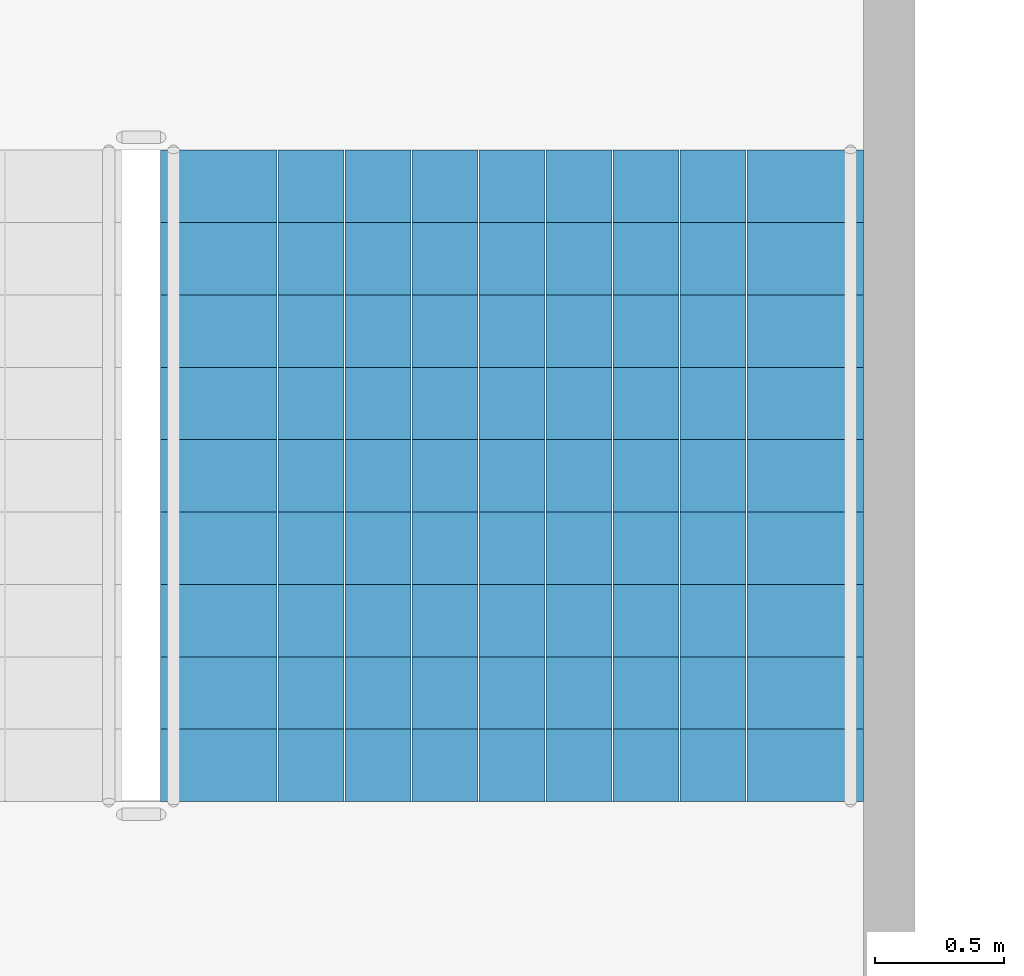
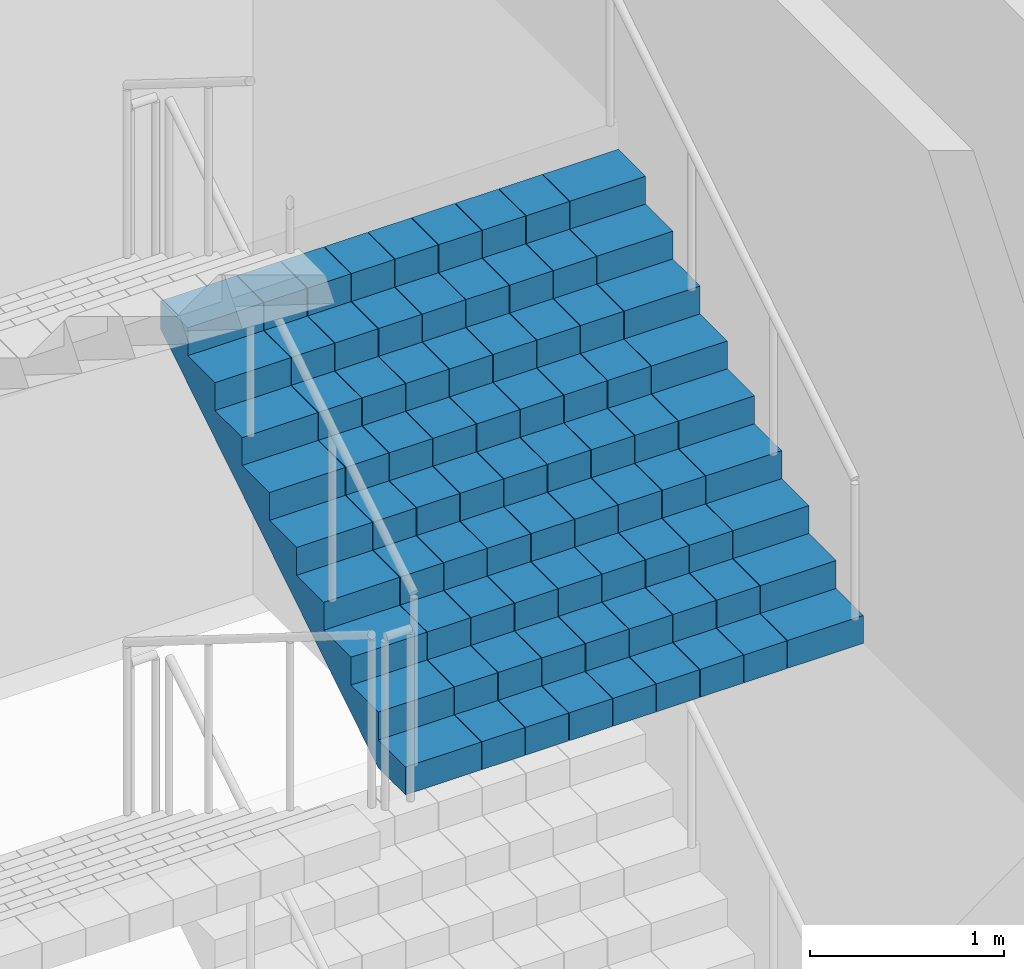
# One storey, part 40 of 45: 1 stair flight, 1 element without a shape of its own.
"""IFC4 building model written with IfcOpenShell, lengths in metres."""

from ifc_helpers import new_model, si_unit, direction, frame, origin, place, context, subcontext, project, spatial, polyline, outline, extrude, material, type_object, element, aggregate, save


model = new_model("IFC4")

# Units and contexts
model_context = context("Model", 3, precision=1e-05, world=origin(), true_north=direction((0.0, 1.0)))
body_context = subcontext(model_context, "Body", "Model", "MODEL_VIEW")
ifc_project = project(units=[si_unit("LENGTHUNIT", "METRE"), si_unit("AREAUNIT", "SQUARE_METRE"), si_unit("VOLUMEUNIT", "CUBIC_METRE"), si_unit("PLANEANGLEUNIT", "RADIAN"), si_unit("MASSUNIT", "GRAM", prefix="KILO")], contexts=[model_context])

# Site, building, storey
site_placement = place(None, origin())
site = spatial("IfcSite", under=ifc_project, at=site_placement, CompositionType="ELEMENT")
building_placement = place(site_placement, origin())
building = spatial("IfcBuilding", under=site, at=building_placement, Name="Corbelhall Arena Tower", CompositionType="ELEMENT")
storey_placement = place(building_placement, frame((0.0, 0.0, 37.0)))
storey = spatial("IfcBuildingStorey", under=building, at=storey_placement, Name="L05", CompositionType="ELEMENT", Elevation=37.0)

# Stair, stair flight
ifc_material = material(Name="Reinforced concrete C40/50", Category="concrete")
stair_type = type_object("IfcStairType", Name="AR-EXIT-STAIR", PredefinedType="HALF_TURN_STAIR", material=ifc_material)
stair_placement = place(storey_placement, origin())
stair = element("IfcStair", 1, at=stair_placement, inside=storey, type_object=stair_type, Name="L05 exit stair AS2", PredefinedType="HALF_TURN_STAIR")
stair_flight_type = type_object("IfcStairFlightType", Name="AR-EXIT-FLIGHT", PredefinedType="STRAIGHT", material=ifc_material)
stair_flight_placement = place(storey_placement, frame((45.030029296875, 27.320068359375, 3.5), z_axis=(0.0, 0.0, 1.0), x_axis=(0.0, 1.0, 0.0)))
stair_flight = element("IfcStairFlight", 2, at=stair_flight_placement, type_object=stair_flight_type, Name="AS2 flight 3", NumberOfRisers=10, NumberOfTreads=9, PredefinedType="STRAIGHT", RiserHeight=0.175, TreadLength=0.28, context=body_context, shape_type="SweptSolid", body=[
    extrude(outline(polyline([(0.0, 0.0), (0.0, 0.175048828125), (0.280029296875, 0.175048828125), (0.280029296875, 0.35009765625), (0.56005859375, 0.35009765625), (0.56005859375, 0.52490234375), (0.840087890625, 0.52490234375), (0.840087890625, 0.699951171875), (1.1201171875, 0.699951171875), (1.1201171875, 0.875), (1.39990234375, 0.875), (1.39990234375, 1.050048828125), (1.679931640625, 1.050048828125), (1.679931640625, 1.22509765625), (1.9599609375, 1.22509765625), (1.9599609375, 1.39990234375), (2.239990234375, 1.39990234375), (2.239990234375, 1.574951171875), (2.52001953125, 1.574951171875), (2.52001953125, 1.75), (2.52001953125, 1.398193359375), (0.28271484375, 0.0), (0.0, 0.0)])), frame((0.0, 1.35986328125, 0.0), z_axis=(0.0, -1.0, 0.0), x_axis=(1.0, 0.0, 0.0)), (0.0, 0.0, 1.0), 0.449951171875),
    extrude(outline(polyline([(0.0, 0.0), (0.0, 0.175048828125), (0.280029296875, 0.175048828125), (0.280029296875, 0.35009765625), (0.56005859375, 0.35009765625), (0.56005859375, 0.52490234375), (0.840087890625, 0.52490234375), (0.840087890625, 0.699951171875), (1.1201171875, 0.699951171875), (1.1201171875, 0.875), (1.39990234375, 0.875), (1.39990234375, 1.050048828125), (1.679931640625, 1.050048828125), (1.679931640625, 1.22509765625), (1.9599609375, 1.22509765625), (1.9599609375, 1.39990234375), (2.239990234375, 1.39990234375), (2.239990234375, 1.574951171875), (2.52001953125, 1.574951171875), (2.52001953125, 1.75), (2.52001953125, 1.398193359375), (0.28271484375, 0.0), (0.0, 0.0)])), frame((0.0, 0.906005859375, 0.0), z_axis=(0.0, -1.0, 0.0), x_axis=(1.0, 0.0, 0.0)), (0.0, 0.0, 1.0), 0.25537109375),
    extrude(outline(polyline([(0.0, 0.0), (0.0, 0.175048828125), (0.280029296875, 0.175048828125), (0.280029296875, 0.35009765625), (0.56005859375, 0.35009765625), (0.56005859375, 0.52490234375), (0.840087890625, 0.52490234375), (0.840087890625, 0.699951171875), (1.1201171875, 0.699951171875), (1.1201171875, 0.875), (1.39990234375, 0.875), (1.39990234375, 1.050048828125), (1.679931640625, 1.050048828125), (1.679931640625, 1.22509765625), (1.9599609375, 1.22509765625), (1.9599609375, 1.39990234375), (2.239990234375, 1.39990234375), (2.239990234375, 1.574951171875), (2.52001953125, 1.574951171875), (2.52001953125, 1.75), (2.52001953125, 1.398193359375), (0.28271484375, 0.0), (0.0, 0.0)])), frame((0.0, 0.646484375, 0.0), z_axis=(0.0, -1.0, 0.0), x_axis=(1.0, 0.0, 0.0)), (0.0, 0.0, 1.0), 0.25537109375),
    extrude(outline(polyline([(0.0, 0.0), (0.0, 0.175048828125), (0.280029296875, 0.175048828125), (0.280029296875, 0.35009765625), (0.56005859375, 0.35009765625), (0.56005859375, 0.52490234375), (0.840087890625, 0.52490234375), (0.840087890625, 0.699951171875), (1.1201171875, 0.699951171875), (1.1201171875, 0.875), (1.39990234375, 0.875), (1.39990234375, 1.050048828125), (1.679931640625, 1.050048828125), (1.679931640625, 1.22509765625), (1.9599609375, 1.22509765625), (1.9599609375, 1.39990234375), (2.239990234375, 1.39990234375), (2.239990234375, 1.574951171875), (2.52001953125, 1.574951171875), (2.52001953125, 1.75), (2.52001953125, 1.398193359375), (0.28271484375, 0.0), (0.0, 0.0)])), frame((0.0, 0.38720703125, 0.0), z_axis=(0.0, -1.0, 0.0), x_axis=(1.0, 0.0, 0.0)), (0.0, 0.0, 1.0), 0.25537109375),
    extrude(outline(polyline([(0.0, 0.0), (0.0, 0.175048828125), (0.280029296875, 0.175048828125), (0.280029296875, 0.35009765625), (0.56005859375, 0.35009765625), (0.56005859375, 0.52490234375), (0.840087890625, 0.52490234375), (0.840087890625, 0.699951171875), (1.1201171875, 0.699951171875), (1.1201171875, 0.875), (1.39990234375, 0.875), (1.39990234375, 1.050048828125), (1.679931640625, 1.050048828125), (1.679931640625, 1.22509765625), (1.9599609375, 1.22509765625), (1.9599609375, 1.39990234375), (2.239990234375, 1.39990234375), (2.239990234375, 1.574951171875), (2.52001953125, 1.574951171875), (2.52001953125, 1.75), (2.52001953125, 1.398193359375), (0.28271484375, 0.0), (0.0, 0.0)])), frame((0.0, 0.127685546875, 0.0), z_axis=(0.0, -1.0, 0.0), x_axis=(1.0, 0.0, 0.0)), (0.0, 0.0, 1.0), 0.25537109375),
    extrude(outline(polyline([(0.0, 0.0), (0.0, 0.175048828125), (0.280029296875, 0.175048828125), (0.280029296875, 0.35009765625), (0.56005859375, 0.35009765625), (0.56005859375, 0.52490234375), (0.840087890625, 0.52490234375), (0.840087890625, 0.699951171875), (1.1201171875, 0.699951171875), (1.1201171875, 0.875), (1.39990234375, 0.875), (1.39990234375, 1.050048828125), (1.679931640625, 1.050048828125), (1.679931640625, 1.22509765625), (1.9599609375, 1.22509765625), (1.9599609375, 1.39990234375), (2.239990234375, 1.39990234375), (2.239990234375, 1.574951171875), (2.52001953125, 1.574951171875), (2.52001953125, 1.75), (2.52001953125, 1.398193359375), (0.28271484375, 0.0), (0.0, 0.0)])), frame((0.0, -0.131591796875, 0.0), z_axis=(0.0, -1.0, 0.0), x_axis=(1.0, 0.0, 0.0)), (0.0, 0.0, 1.0), 0.25537109375),
    extrude(outline(polyline([(0.0, 0.0), (0.0, 0.175048828125), (0.280029296875, 0.175048828125), (0.280029296875, 0.35009765625), (0.56005859375, 0.35009765625), (0.56005859375, 0.52490234375), (0.840087890625, 0.52490234375), (0.840087890625, 0.699951171875), (1.1201171875, 0.699951171875), (1.1201171875, 0.875), (1.39990234375, 0.875), (1.39990234375, 1.050048828125), (1.679931640625, 1.050048828125), (1.679931640625, 1.22509765625), (1.9599609375, 1.22509765625), (1.9599609375, 1.39990234375), (2.239990234375, 1.39990234375), (2.239990234375, 1.574951171875), (2.52001953125, 1.574951171875), (2.52001953125, 1.75), (2.52001953125, 1.398193359375), (0.28271484375, 0.0), (0.0, 0.0)])), frame((0.0, -0.39111328125, 0.0), z_axis=(0.0, -1.0, 0.0), x_axis=(1.0, 0.0, 0.0)), (0.0, 0.0, 1.0), 0.25537109375),
    extrude(outline(polyline([(0.0, 0.0), (0.0, 0.175048828125), (0.280029296875, 0.175048828125), (0.280029296875, 0.35009765625), (0.56005859375, 0.35009765625), (0.56005859375, 0.52490234375), (0.840087890625, 0.52490234375), (0.840087890625, 0.699951171875), (1.1201171875, 0.699951171875), (1.1201171875, 0.875), (1.39990234375, 0.875), (1.39990234375, 1.050048828125), (1.679931640625, 1.050048828125), (1.679931640625, 1.22509765625), (1.9599609375, 1.22509765625), (1.9599609375, 1.39990234375), (2.239990234375, 1.39990234375), (2.239990234375, 1.574951171875), (2.52001953125, 1.574951171875), (2.52001953125, 1.75), (2.52001953125, 1.398193359375), (0.28271484375, 0.0), (0.0, 0.0)])), frame((0.0, -0.650634765625, 0.0), z_axis=(0.0, -1.0, 0.0), x_axis=(1.0, 0.0, 0.0)), (0.0, 0.0, 1.0), 0.25537109375),
    extrude(outline(polyline([(0.0, 0.0), (0.0, 0.175048828125), (0.280029296875, 0.175048828125), (0.280029296875, 0.35009765625), (0.56005859375, 0.35009765625), (0.56005859375, 0.52490234375), (0.840087890625, 0.52490234375), (0.840087890625, 0.699951171875), (1.1201171875, 0.699951171875), (1.1201171875, 0.875), (1.39990234375, 0.875), (1.39990234375, 1.050048828125), (1.679931640625, 1.050048828125), (1.679931640625, 1.22509765625), (1.9599609375, 1.22509765625), (1.9599609375, 1.39990234375), (2.239990234375, 1.39990234375), (2.239990234375, 1.574951171875), (2.52001953125, 1.574951171875), (2.52001953125, 1.75), (2.52001953125, 1.398193359375), (0.28271484375, 0.0), (0.0, 0.0)])), frame((0.0, -0.909912109375, 0.0), z_axis=(0.0, -1.0, 0.0), x_axis=(1.0, 0.0, 0.0)), (0.0, 0.0, 1.0), 0.449951171875),
])
aggregate(stair, [stair_flight])

save(model, "model.ifc")
